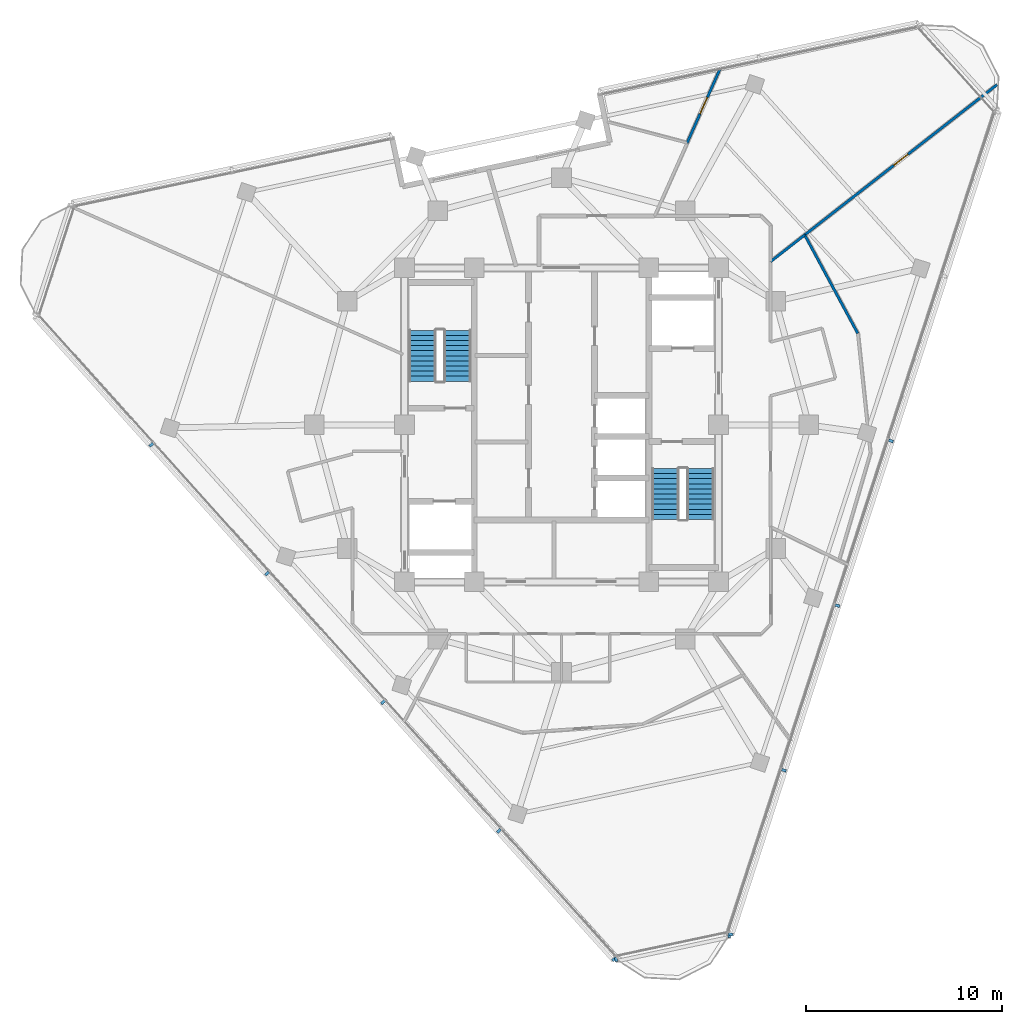
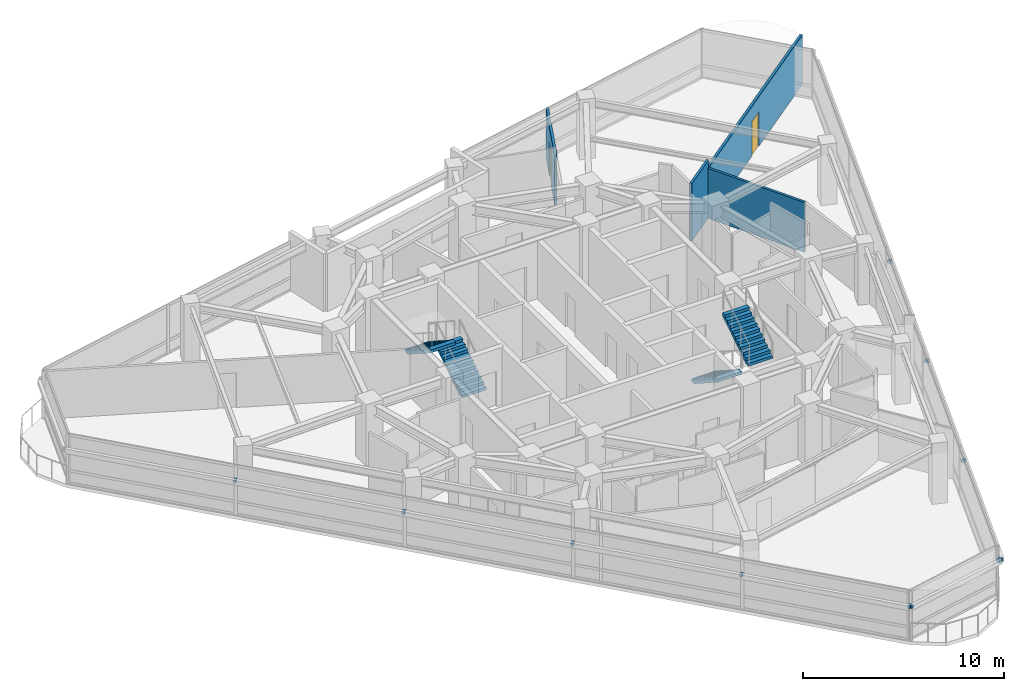
# One storey, part 10 of 15: 11 discrete accessories, 4 stair flights, 4 walls, 2 doors, 2 openings, 2 elements without a shape of their own.
"""IFC4 building model written with IfcOpenShell, lengths in metres."""

from ifc_helpers import new_model, si_unit, direction, frame, frame_2d, origin, origin_2d, place, context, subcontext, project, spatial, polyline, rectangle, outline, extrude, material, layer, layer_set, type_object, element, fill, aggregate, save


model = new_model("IFC4")

# Units and contexts
model_context = context("Model", 3, precision=1e-05, world=origin(), true_north=direction((0.0, 1.0)))
body_context = subcontext(model_context, "Body", "Model", "MODEL_VIEW")
ifc_project = project(units=[si_unit("LENGTHUNIT", "METRE"), si_unit("AREAUNIT", "SQUARE_METRE"), si_unit("VOLUMEUNIT", "CUBIC_METRE"), si_unit("PLANEANGLEUNIT", "RADIAN"), si_unit("MASSUNIT", "GRAM", prefix="KILO")], contexts=[model_context])

# Site, building, storey
site_placement = place(None, origin())
site = spatial("IfcSite", under=ifc_project, at=site_placement, CompositionType="ELEMENT")
building_placement = place(site_placement, origin())
building = spatial("IfcBuilding", under=site, at=building_placement, Name="Terralouvre Media Tower", CompositionType="ELEMENT")
storey_placement = place(building_placement, frame((0.0, 0.0, 294.300048828125)))
storey = spatial("IfcBuildingStorey", under=building, at=storey_placement, Name="L76", CompositionType="ELEMENT", Elevation=294.300048828125)

# Walls
ifc_material_1 = material(Name="Fire-rated gypsum board drywall partition")
ifc_layer = layer(ifc_material_1, 0.135009765625, Name="Newsroom Acoustic Partition PT-135")
ifc_layer_set = layer_set([ifc_layer], Name="Fire-rated gypsum board drywall partition")
wall_type = type_object("IfcWallType", Name="Newsroom Acoustic Partition PT-135", PredefinedType="PARTITIONING", material=ifc_layer_set)
wall_1_placement = place(storey_placement, frame((15.095947265625, 4.6630859375, 0.0), z_axis=(0.0, 0.0, 1.0), x_axis=(-0.474498198469, 0.88025647379, 0.0)))
element("IfcWall", 1, at=wall_1_placement, inside=storey, type_object=wall_type, Name="L76 Interior Partition 032", PredefinedType="PARTITIONING", context=body_context, shape_type="SweptSolid", body=[
    extrude(rectangle(XDim=5.700439453125, YDim=0.135009765625, at=frame_2d((2.85009765625, 0.0))), origin(), (0.0, 0.0, 1.0), 3.034912109375),
])
wall_2_placement = place(storey_placement, frame((12.39111328125, 9.680908203125, 0.0), z_axis=(0.0, 0.0, 1.0), x_axis=(-0.788124883644, -0.615515367624, 0.0)))
element("IfcWall", 2, at=wall_2_placement, inside=storey, type_object=wall_type, Name="L76 Interior Partition 033", PredefinedType="PARTITIONING", context=body_context, shape_type="SweptSolid", body=[
    extrude(rectangle(XDim=2.209228515625, YDim=0.135009765625, at=frame_2d((1.1044921875, 0.0))), origin(), (0.0, 0.0, 1.0), 3.5),
])

# Wall, opening, door
wall_3_placement = place(storey_placement, frame((22.1923828125, 17.33837890625, 0.0), z_axis=(0.0, 0.0, 1.0), x_axis=(-0.788015446076, -0.615655469192, 0.0)))
wall_3 = element("IfcWall", 3, at=wall_3_placement, inside=storey, type_object=wall_type, Name="L76 Interior Partition 047", PredefinedType="PARTITIONING", context=body_context, shape_type="SweptSolid", body=[
    extrude(rectangle(XDim=12.43798828125, YDim=0.135009765625, at=frame_2d((6.218994140625, 0.0))), origin(), (0.0, 0.0, 1.0), 3.034912109375),
])
opening_1_placement = place(wall_3_placement, frame((5.759033203125, 0.0, 0.0)))
opening_1 = element("IfcOpeningElement", 4, at=opening_1_placement, cuts=wall_3, Name="Opening ID-03-92X210", PredefinedType="OPENING", context=body_context, shape_type="SweptSolid", body=[
    extrude(rectangle(XDim=0.919921875, YDim=2.10009765625, at=frame_2d((0.4599609375, 1.050048828125))), frame((0.0, 0.077392578125, 0.0), z_axis=(0.0, -1.0, 0.0), x_axis=(1.0, 0.0, 0.0)), (0.0, 0.0, 1.0), 0.155029296875),
])
ifc_material_2 = material(Name="Engineered hardwood acoustic timber leaf", Category="wood")
door_type = type_object("IfcDoorType", Name="Accessible Restroom and Suite Door ID-03 (920x2100)", OperationType="NOTDEFINED", PredefinedType="DOOR", material=ifc_material_2)
door_1_placement = place(opening_1_placement, origin())
door_1 = element("IfcDoor", 5, at=door_1_placement, inside=storey, type_object=door_type, Name="L76 Podcast Editing Creative Workshop 6 Door", OperationType="SINGLE_SWING_RIGHT", OverallHeight=2.10009765625, OverallWidth=0.919921875, PredefinedType="DOOR", context=body_context, shape_type="SweptSolid", body=[
    extrude(rectangle(XDim=0.919921875, YDim=2.10009765625, at=frame_2d((0.4599609375, 1.050048828125))), frame((0.0, 0.02490234375, 0.0), z_axis=(0.0, -1.0, 0.0), x_axis=(1.0, 0.0, 0.0)), (0.0, 0.0, 1.0), 0.050048828125),
])
fill(opening_1, door_1)

wall_4_placement = place(storey_placement, frame((8.092041015625, 18.176025390625, 0.0), z_axis=(0.0, 0.0, 1.0), x_axis=(-0.406654666586, -0.91358195152, 0.0)))
wall_4 = element("IfcWall", 6, at=wall_4_placement, inside=storey, type_object=wall_type, Name="L76 Interior Partition 048", PredefinedType="PARTITIONING", context=body_context, shape_type="SweptSolid", body=[
    extrude(rectangle(XDim=4.168212890625, YDim=0.135009765625, at=frame_2d((2.083984375, 0.0))), origin(), (0.0, 0.0, 1.0), 3.034912109375),
])
opening_2_placement = place(wall_4_placement, frame((1.6240234375, 0.0, 0.0)))
opening_2 = element("IfcOpeningElement", 7, at=opening_2_placement, cuts=wall_4, Name="Opening ID-03-92X210", PredefinedType="OPENING", context=body_context, shape_type="SweptSolid", body=[
    extrude(rectangle(XDim=0.919921875, YDim=2.10009765625, at=frame_2d((0.4599609375, 1.050048828125))), frame((0.0, 0.077392578125, 0.0), z_axis=(0.0, -1.0, 0.0), x_axis=(1.0, 0.0, 0.0)), (0.0, 0.0, 1.0), 0.155029296875),
])
door_2_placement = place(opening_2_placement, origin())
door_2 = element("IfcDoor", 8, at=door_2_placement, inside=storey, type_object=door_type, Name="L76 Barista Coffee Tea Pantry 8 Door", OperationType="SINGLE_SWING_LEFT", OverallHeight=2.10009765625, OverallWidth=0.919921875, PredefinedType="DOOR", context=body_context, shape_type="SweptSolid", body=[
    extrude(rectangle(XDim=0.919921875, YDim=2.10009765625, at=frame_2d((0.4599609375, 1.050048828125))), frame((0.0, 0.02490234375, 0.0), z_axis=(0.0, -1.0, 0.0), x_axis=(1.0, 0.0, 0.0)), (0.0, 0.0, 1.0), 0.050048828125),
])
fill(opening_2, door_2)

# Stair, stair flights
ifc_material_3 = material(Name="Concrete C45/55", Category="concrete")
stair_type_1 = type_object("IfcStairType", Name="Dogleg Stair Assembly ST-01", PredefinedType="HALF_TURN_STAIR", material=ifc_material_3)
stair_1_placement = place(storey_placement, origin())
stair_1 = element("IfcStair", 9, at=stair_1_placement, inside=storey, type_object=stair_type_1, Name="L76 Core Pressurised Exit Stair ST-01", PredefinedType="HALF_TURN_STAIR")
ifc_material_4 = material(Name="Concrete C45/55", Category="concrete")
stair_flight_type = type_object("IfcStairFlightType", Name="Reinforced Concrete Stair Flight SF-RC1", PredefinedType="STRAIGHT", material=ifc_material_4)
stair_flight_1_placement = place(storey_placement, frame((-5.300048828125, 2.219970703125, 0.0), z_axis=(0.0, 0.0, 1.0), x_axis=(0.0, 1.0, 0.0)))
stair_flight_1 = element("IfcStairFlight", 10, at=stair_flight_1_placement, type_object=stair_flight_type, Name="ST-01 flight 1", NumberOfRisers=11, NumberOfTreads=10, PredefinedType="STRAIGHT", RiserHeight=0.168181818, TreadLength=0.26, context=body_context, shape_type="SweptSolid", body=[
    extrude(outline(polyline([(0.0, 0.0), (0.0, 0.168212890625), (0.260009765625, 0.168212890625), (0.260009765625, 0.33642578125), (0.52001953125, 0.33642578125), (0.52001953125, 0.504638671875), (0.780029296875, 0.504638671875), (0.780029296875, 0.672607421875), (1.0400390625, 0.672607421875), (1.0400390625, 0.8408203125), (1.300048828125, 0.8408203125), (1.300048828125, 1.009033203125), (1.56005859375, 1.009033203125), (1.56005859375, 1.17724609375), (1.820068359375, 1.17724609375), (1.820068359375, 1.345458984375), (2.080078125, 1.345458984375), (2.080078125, 1.513671875), (2.340087890625, 1.513671875), (2.340087890625, 1.681884765625), (2.60009765625, 1.681884765625), (2.60009765625, 1.85009765625), (2.60009765625, 1.503173828125), (0.27587890625, 0.0), (0.0, 0.0)])), frame((0.0, 0.699951171875, 0.0), z_axis=(0.0, -1.0, 0.0), x_axis=(1.0, 0.0, 0.0)), (0.0, 0.0, 1.0), 1.39990234375),
])
stair_flight_2_placement = place(storey_placement, frame((-7.080078125, 4.820068359375, 1.849853515625), z_axis=(0.0, 0.0, 1.0), x_axis=(0.0, -1.0, 0.0)))
stair_flight_2 = element("IfcStairFlight", 11, at=stair_flight_2_placement, type_object=stair_flight_type, Name="ST-01 flight 2", NumberOfRisers=11, NumberOfTreads=10, PredefinedType="STRAIGHT", RiserHeight=0.168181818, TreadLength=0.26, context=body_context, shape_type="SweptSolid", body=[
    extrude(outline(polyline([(0.0, 0.0), (0.0, 0.168212890625), (0.260009765625, 0.168212890625), (0.260009765625, 0.33642578125), (0.52001953125, 0.33642578125), (0.52001953125, 0.504638671875), (0.780029296875, 0.504638671875), (0.780029296875, 0.672607421875), (1.0400390625, 0.672607421875), (1.0400390625, 0.8408203125), (1.300048828125, 0.8408203125), (1.300048828125, 1.009033203125), (1.56005859375, 1.009033203125), (1.56005859375, 1.17724609375), (1.820068359375, 1.17724609375), (1.820068359375, 1.345458984375), (2.080078125, 1.345458984375), (2.080078125, 1.513671875), (2.340087890625, 1.513671875), (2.340087890625, 1.681884765625), (2.60009765625, 1.681884765625), (2.60009765625, 1.85009765625), (2.60009765625, 1.503173828125), (0.27587890625, 0.0), (0.0, 0.0)])), frame((0.0, 0.699951171875, 0.0), z_axis=(0.0, -1.0, 0.0), x_axis=(1.0, 0.0, 0.0)), (0.0, 0.0, 1.0), 1.39990234375),
])
aggregate(stair_1, [stair_flight_1, stair_flight_2])

ifc_material_5 = material(Name="Concrete C45/55", Category="concrete")
stair_type_2 = type_object("IfcStairType", Name="Dogleg Stair Assembly ST-02", PredefinedType="HALF_TURN_STAIR", material=ifc_material_5)
stair_2_placement = place(storey_placement, origin())
stair_2 = element("IfcStair", 12, at=stair_2_placement, inside=storey, type_object=stair_type_2, Name="L76 Core Pressurised Exit Stair ST-02", PredefinedType="HALF_TURN_STAIR")
stair_flight_3_placement = place(storey_placement, frame((5.300048828125, -2.219970703125, 0.0), z_axis=(0.0, 0.0, 1.0), x_axis=(0.0, -1.0, 0.0)))
stair_flight_3 = element("IfcStairFlight", 13, at=stair_flight_3_placement, type_object=stair_flight_type, Name="ST-02 flight 1", NumberOfRisers=11, NumberOfTreads=10, PredefinedType="STRAIGHT", RiserHeight=0.168181818, TreadLength=0.26, context=body_context, shape_type="SweptSolid", body=[
    extrude(outline(polyline([(0.0, 0.0), (0.0, 0.168212890625), (0.260009765625, 0.168212890625), (0.260009765625, 0.33642578125), (0.52001953125, 0.33642578125), (0.52001953125, 0.504638671875), (0.780029296875, 0.504638671875), (0.780029296875, 0.672607421875), (1.0400390625, 0.672607421875), (1.0400390625, 0.8408203125), (1.300048828125, 0.8408203125), (1.300048828125, 1.009033203125), (1.56005859375, 1.009033203125), (1.56005859375, 1.17724609375), (1.820068359375, 1.17724609375), (1.820068359375, 1.345458984375), (2.080078125, 1.345458984375), (2.080078125, 1.513671875), (2.340087890625, 1.513671875), (2.340087890625, 1.681884765625), (2.60009765625, 1.681884765625), (2.60009765625, 1.85009765625), (2.60009765625, 1.503173828125), (0.27587890625, 0.0), (0.0, 0.0)])), frame((0.0, 0.699951171875, 0.0), z_axis=(0.0, -1.0, 0.0), x_axis=(1.0, 0.0, 0.0)), (0.0, 0.0, 1.0), 1.39990234375),
])
stair_flight_4_placement = place(storey_placement, frame((7.080078125, -4.820068359375, 1.849853515625), z_axis=(0.0, 0.0, 1.0), x_axis=(0.0, 1.0, 0.0)))
stair_flight_4 = element("IfcStairFlight", 14, at=stair_flight_4_placement, type_object=stair_flight_type, Name="ST-02 flight 2", NumberOfRisers=11, NumberOfTreads=10, PredefinedType="STRAIGHT", RiserHeight=0.168181818, TreadLength=0.26, context=body_context, shape_type="SweptSolid", body=[
    extrude(outline(polyline([(0.0, 0.0), (0.0, 0.168212890625), (0.260009765625, 0.168212890625), (0.260009765625, 0.33642578125), (0.52001953125, 0.33642578125), (0.52001953125, 0.504638671875), (0.780029296875, 0.504638671875), (0.780029296875, 0.672607421875), (1.0400390625, 0.672607421875), (1.0400390625, 0.8408203125), (1.300048828125, 0.8408203125), (1.300048828125, 1.009033203125), (1.56005859375, 1.009033203125), (1.56005859375, 1.17724609375), (1.820068359375, 1.17724609375), (1.820068359375, 1.345458984375), (2.080078125, 1.345458984375), (2.080078125, 1.513671875), (2.340087890625, 1.513671875), (2.340087890625, 1.681884765625), (2.60009765625, 1.681884765625), (2.60009765625, 1.85009765625), (2.60009765625, 1.503173828125), (0.27587890625, 0.0), (0.0, 0.0)])), frame((0.0, 0.699951171875, 0.0), z_axis=(0.0, -1.0, 0.0), x_axis=(1.0, 0.0, 0.0)), (0.0, 0.0, 1.0), 1.39990234375),
])
aggregate(stair_2, [stair_flight_3, stair_flight_4])

# Discrete accessories
ifc_material_6 = material(Name="Anodised extruded aluminium 6063-T6", Category="aluminium")
discrete_accessory_type = type_object("IfcDiscreteAccessoryType", Name="Mullion Stand-Off Baguette Fixing Bracket BK-01", PredefinedType="BRACKET", material=ifc_material_6)
for number, where, z_axis, x_axis, name in (
    (15, (8.617431640625, -25.955810546875, 2.07421875), (0.0, 0.0, 1.0), (0.309017021946, 0.951056507337, 0.0), "CW-L76-F0 Baguette Outrigger Bracket 1.01"),
    (16, (11.33251953125, -17.599365234375, 2.07421875), (0.0, 0.0, 1.0), (0.309017021946, 0.951056507337, 0.0), "CW-L76-F0 Baguette Outrigger Bracket 1.02"),
    (17, (14.059326171875, -9.207275390625, 2.07421875), (0.0, 0.0, 1.0), (0.309017021946, 0.951056507337, 0.0), "CW-L76-F0 Baguette Outrigger Bracket 1.03"),
    (18, (16.7861328125, -0.815185546875, 2.07421875), (0.0, 0.0, 1.0), (0.309017021946, 0.951056507337, 0.0), "CW-L76-F0 Baguette Outrigger Bracket 1.04"),
    (19, (-20.90771484375, -1.0146484375, 2.07421875), (0.0, 0.0, 1.0), (0.669130573531, -0.743144855036, 0.0), "CW-L76-F2 Baguette Outrigger Bracket 1.02"),
    (20, (-15.00341796875, -7.572021484375, 2.07421875), (0.0, 0.0, 1.0), (0.669130573531, -0.743144855036, 0.0), "CW-L76-F2 Baguette Outrigger Bracket 1.03"),
    (21, (-9.098876953125, -14.129638671875, 2.07421875), (0.0, 0.0, 1.0), (0.669130573531, -0.743144855036, 0.0), "CW-L76-F2 Baguette Outrigger Bracket 1.04"),
    (22, (-3.194580078125, -20.68701171875, 2.07421875), (0.0, 0.0, 1.0), (0.669130573531, -0.743144855036, 0.0), "CW-L76-F2 Baguette Outrigger Bracket 1.05"),
    (23, (2.684814453125, -27.216796875, 2.07421875), (0.0, 0.0, 1.0), (0.669130573531, -0.743144855036, 0.0), "CW-L76-F2 Baguette Outrigger Bracket 1.06"),
    (24, (2.780517578125, -27.229736328125, 2.07421875), (0.0, 0.0, 1.0), (0.978147609922, 0.207911647592, 0.0), "CW-L76-C0 Baguette Outrigger Bracket 1.01"),
    (25, (8.53515625, -26.00634765625, 2.07421875), (0.0, 0.0, 1.0), (0.978147609922, 0.207911647592, 0.0), "CW-L76-C0 Baguette Outrigger Bracket 1.02"),
):
    element("IfcDiscreteAccessory", number, at=place(storey_placement, frame(where, z_axis=z_axis, x_axis=x_axis)), inside=storey, type_object=discrete_accessory_type, Name=name, PredefinedType="BRACKET", context=body_context, shape_type="SweptSolid", body=[
        extrude(rectangle(XDim=0.139892578125, YDim=0.239990234375, at=origin_2d()), origin(), (0.0, 0.0, 1.0), 0.179931640625),
    ])

save(model, "model.ifc")
